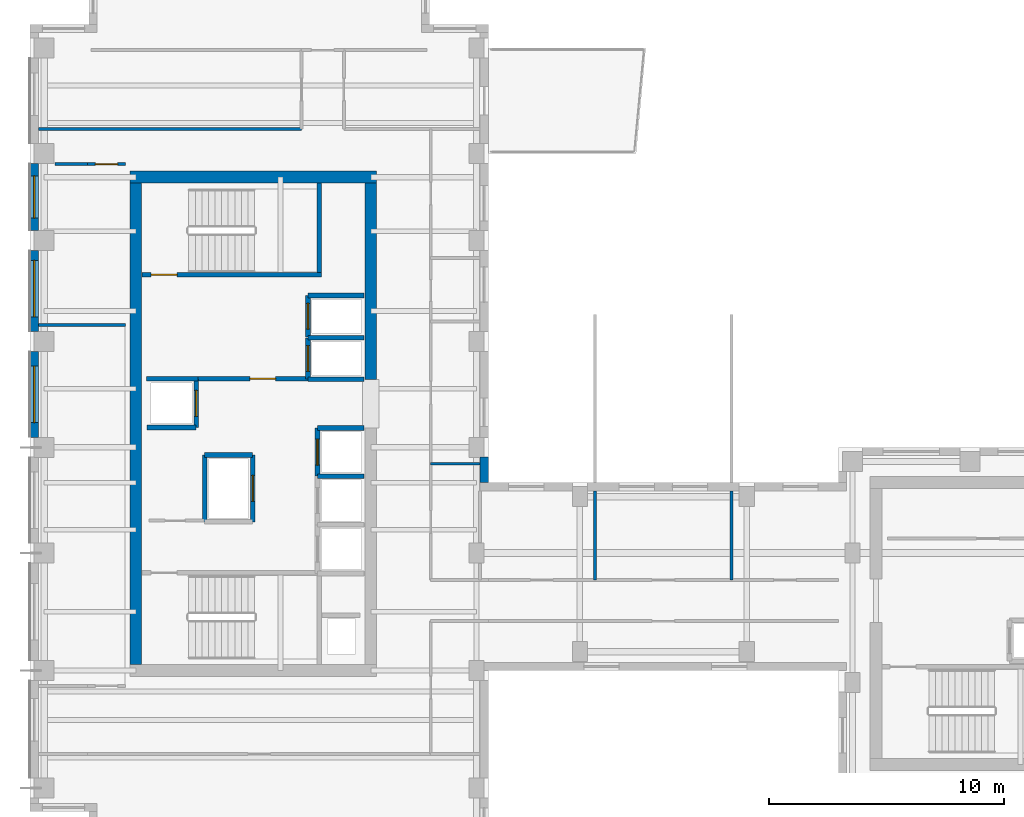
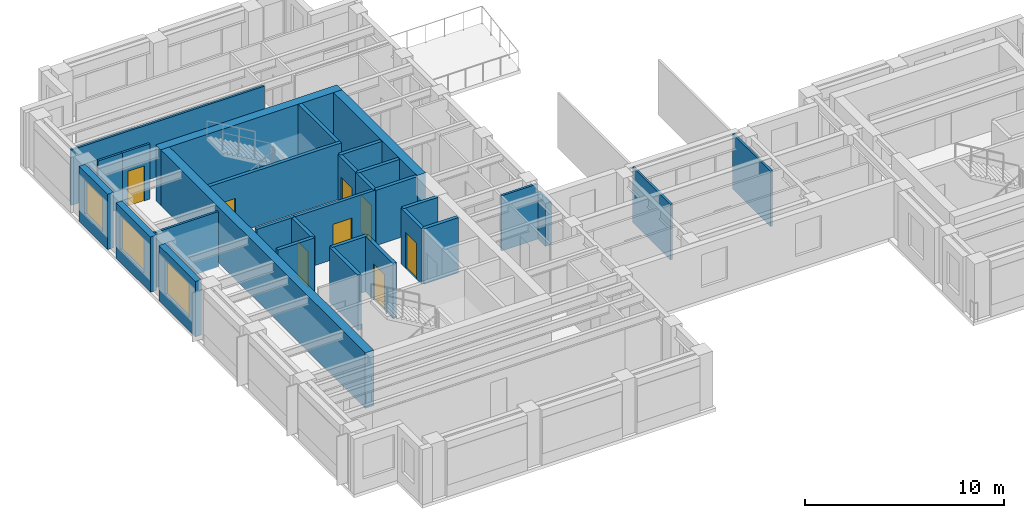
# One storey, part 4 of 10: 31 walls, 8 doors, 3 windows, 11 openings.
"""IFC4 building model written with IfcOpenShell, lengths in metres."""

import ifcopenshell
import ifcopenshell.guid

model = None  # the IFC model being written
_history = None  # IfcOwnerHistory: only IFC2X3 demands one
_inside = {}  # id of a spatial element -> (the spatial element, [elements in it])
_under = {}  # id of a project, library or spatial element -> (it, [spatial elements below it])
_declared = {}  # id of a project -> (the project, [libraries it declares])
_typed = {}  # id of a type object -> (the type object, [elements of that type])
_made_of = {}  # id of a material, layer set ... -> (it, [elements and type objects made of it])


def new_model(schema):
    """Start an empty IFC model of exactly this schema.

    Asked for "IFC4X3", IfcOpenShell would pick the latest addendum, in which some entities
    have other attributes; the version numbers below select the first issue.
    IFC2X3 requires an IfcOwnerHistory on every rooted entity: one is made here for all.
    """
    global model, _history
    if schema == "IFC4X3":
        model = ifcopenshell.file(schema_version=(4, 3, 0, 0))
    else:
        model = ifcopenshell.file(schema=schema)
    _inside.clear()
    _under.clear()
    _declared.clear()
    _typed.clear()
    _made_of.clear()
    _history = None
    if model.schema == "IFC2X3":
        org = make("IfcOrganization", Name="unknown")
        user = make(
            "IfcPersonAndOrganization",
            ThePerson=make("IfcPerson", FamilyName="unknown"),
            TheOrganization=org,
        )
        app = make(
            "IfcApplication",
            ApplicationDeveloper=org,
            Version="unknown",
            ApplicationFullName="unknown",
            ApplicationIdentifier="unknown",
        )
        _history = make(
            "IfcOwnerHistory",
            OwningUser=user,
            OwningApplication=app,
            ChangeAction="ADDED",
            CreationDate=0,
        )
    return model


def make(cls, **values):
    """One entity of the class cls with the attributes given. An attribute that is None is left unset."""
    return model.create_entity(
        cls, **{name: value for name, value in values.items() if value is not None}
    )


def rooted(cls, **values):
    """An entity with a GlobalId (a new one), such as an element, a storey or a relation."""
    return make(cls, GlobalId=ifcopenshell.guid.new(), OwnerHistory=_history, **values)


def si_unit(unit_type, name, prefix=None):
    """IfcSIUnit, for example si_unit("LENGTHUNIT", "METRE", prefix="MILLI")."""
    return make("IfcSIUnit", UnitType=unit_type, Prefix=prefix, Name=name)


def assignment(units):
    """IfcUnitAssignment: the units of a project."""
    return None if units is None else make("IfcUnitAssignment", Units=units)


def point(xyz):
    """IfcCartesianPoint."""
    return None if xyz is None else make("IfcCartesianPoint", Coordinates=xyz)


def direction(xyz):
    """IfcDirection."""
    return None if xyz is None else make("IfcDirection", DirectionRatios=xyz)


def frame(location, z_axis=None, x_axis=None):
    """IfcAxis2Placement3D, a coordinate frame: its origin and axes. An axis left out is left unset."""
    return make(
        "IfcAxis2Placement3D",
        Location=point(location),
        Axis=direction(z_axis),
        RefDirection=direction(x_axis),
    )


def frame_2d(location, x_axis=None):
    """IfcAxis2Placement2D, a coordinate frame in the plane: its origin and x axis."""
    return make(
        "IfcAxis2Placement2D", Location=point(location), RefDirection=direction(x_axis)
    )


def origin():
    """The frame at (0, 0, 0) with its axes left unset."""
    return frame((0.0, 0.0, 0.0))


def place(relative_to, where):
    """IfcLocalPlacement: puts the frame where relative to a parent placement (None: the world)."""
    return make(
        "IfcLocalPlacement", PlacementRelTo=relative_to, RelativePlacement=where
    )


def context(
    kind, dimensions, precision=None, world=None, true_north=None, identifier=None
):
    """IfcGeometricRepresentationContext, for example the 3D "Model" context."""
    return make(
        "IfcGeometricRepresentationContext",
        ContextIdentifier=identifier,
        ContextType=kind,
        CoordinateSpaceDimension=dimensions,
        Precision=precision,
        WorldCoordinateSystem=world,
        TrueNorth=true_north,
    )


def subcontext(parent, identifier, kind, view, scale=None):
    """IfcGeometricRepresentationSubContext, for example "Body" below "Model"."""
    return make(
        "IfcGeometricRepresentationSubContext",
        ContextIdentifier=identifier,
        ContextType=kind,
        ParentContext=parent,
        TargetScale=scale,
        TargetView=view,
    )


def project(units=None, contexts=None):
    """IfcProject with its units and contexts."""
    return rooted(
        "IfcProject",
        Name="project",
        RepresentationContexts=contexts,
        UnitsInContext=assignment(units),
    )


def spatial(cls, under=None, at=None, **own):
    """A site, building, storey or space (cls), placed at a placement, below another one or the project."""
    s = rooted(cls, ObjectPlacement=at, **own)
    if under is not None:
        _under.setdefault(under.id(), (under, []))[1].append(s)
    return s


def profile(cls, at=None, kind="AREA", **sizes):
    """A parametric profile (cls). Its sizes go by their IFC names, for example OverallWidth=200.0."""
    return make(cls, ProfileType=kind, Position=at, **sizes)


def rectangle(**sizes):
    """IfcRectangleProfileDef."""
    return profile("IfcRectangleProfileDef", **sizes)


def extrude(swept, where, along, depth):
    """IfcExtrudedAreaSolid: the profile swept, set in the frame where, extruded along a direction by depth."""
    return make(
        "IfcExtrudedAreaSolid",
        SweptArea=swept,
        Position=where,
        ExtrudedDirection=direction(along),
        Depth=depth,
    )


def shape(context_of_items, identifier, shape_type, items):
    """IfcShapeRepresentation: the items that make up one representation, for example the "Body"."""
    return make(
        "IfcShapeRepresentation",
        ContextOfItems=context_of_items,
        RepresentationIdentifier=identifier,
        RepresentationType=shape_type,
        Items=items,
    )


def source(mapping_origin, context_of_items, identifier, shape_type, items):
    """IfcRepresentationMap: a shape defined once, which mapped items show again and again."""
    return make(
        "IfcRepresentationMap",
        MappingOrigin=mapping_origin,
        MappedRepresentation=shape(context_of_items, identifier, shape_type, items),
    )


def transform(
    local_origin,
    x_axis=None,
    y_axis=None,
    z_axis=None,
    scale=None,
    scale2=None,
    scale3=None,
    uniform=True,
):
    """IfcCartesianTransformationOperator3D, or its non-uniform kind. x_axis, y_axis, z_axis: its Axis1, 2, 3."""
    if uniform:
        return make(
            "IfcCartesianTransformationOperator3D",
            Axis1=direction(x_axis),
            Axis2=direction(y_axis),
            LocalOrigin=point(local_origin),
            Scale=scale,
            Axis3=direction(z_axis),
        )
    return make(
        "IfcCartesianTransformationOperator3DnonUniform",
        Axis1=direction(x_axis),
        Axis2=direction(y_axis),
        LocalOrigin=point(local_origin),
        Scale=scale,
        Axis3=direction(z_axis),
        Scale2=scale2,
        Scale3=scale3,
    )


def mapped(mapping_source, mapping_target):
    """IfcMappedItem: shows the shape of a source again, moved by a transform."""
    return make(
        "IfcMappedItem", MappingSource=mapping_source, MappingTarget=mapping_target
    )


def material(Name=None, Category=None):
    """IfcMaterial."""
    return make("IfcMaterial", Name=Name, Category=Category)


def layer(
    of_material, thickness, ventilated=None, Name=None, Category=None, Priority=None
):
    """IfcMaterialLayer: one layer of a wall or slab, of a material (None: an air gap)."""
    return make(
        "IfcMaterialLayer",
        Material=of_material,
        LayerThickness=thickness,
        IsVentilated=ventilated,
        Name=Name,
        Category=Category,
        Priority=Priority,
    )


def layer_set(layers, Name=None):
    """IfcMaterialLayerSet."""
    return make("IfcMaterialLayerSet", MaterialLayers=layers, LayerSetName=Name)


def made_of(thing, what):
    """Note that an element or type object is made of a material, layer set ...; save() writes the relation."""
    if what is not None:
        _made_of.setdefault(what.id(), (what, []))[1].append(thing)
    return thing


def type_object(cls, material=None, **own):
    """A type object (cls), such as IfcWallType, which elements share."""
    return made_of(rooted(cls, **own), material)


def element(
    cls,
    number,
    at=None,
    inside=None,
    cuts=None,
    type_object=None,
    material=None,
    context=None,
    identifier="Body",
    shape_type=None,
    held_by="IfcProductDefinitionShape",
    body=None,
    shapes=None,
    **own,
):
    """One element of the class cls, such as IfcWall. Its Tag is "e" and its number.

    at: its placement. inside: the storey or other place that contains it. cuts: it is an
    opening in that element (IfcRelVoidsElement). A single representation is given by context,
    identifier, shape_type and body (its items); several are given by shapes. held_by: the class
    of the entity that holds the representations. save() writes the other relations.
    """
    e = rooted(cls, Tag="e%d" % number, ObjectPlacement=at, **own)
    if body is not None:
        shapes = [shape(context, identifier, shape_type, body)]
    if shapes is not None:
        e.Representation = make(held_by, Representations=shapes)
    if inside is not None:
        _inside.setdefault(inside.id(), (inside, []))[1].append(e)
    if cuts is not None:
        rooted(
            "IfcRelVoidsElement", RelatingBuildingElement=cuts, RelatedOpeningElement=e
        )
    if type_object is not None:
        _typed.setdefault(type_object.id(), (type_object, []))[1].append(e)
    return made_of(e, material)


def fill(opening, filler):
    """IfcRelFillsElement: the door or window that sits in an opening."""
    return rooted(
        "IfcRelFillsElement",
        RelatingOpeningElement=opening,
        RelatedBuildingElement=filler,
    )


def aggregate(whole, parts):
    """IfcRelAggregates: a whole, such as a stair, and the parts it consists of."""
    return rooted("IfcRelAggregates", RelatingObject=whole, RelatedObjects=parts)


def save(model, path):
    """Write the relations noted so far, then the file.

    IfcRelAggregates (storeys below a building ...), IfcRelContainedInSpatialStructure (elements
    in a storey), IfcRelDefinesByType, IfcRelAssociatesMaterial and IfcRelDeclares: one each for
    every whole, place, type object, material and project.
    """
    for whole, parts in _under.values():
        aggregate(whole, parts)
    for where, things in _inside.values():
        rooted(
            "IfcRelContainedInSpatialStructure",
            RelatedElements=things,
            RelatingStructure=where,
        )
    for kind, things in _typed.values():
        rooted("IfcRelDefinesByType", RelatedObjects=things, RelatingType=kind)
    for what, things in _made_of.values():
        rooted("IfcRelAssociatesMaterial", RelatedObjects=things, RelatingMaterial=what)
    for by, libraries in _declared.values():
        rooted("IfcRelDeclares", RelatingContext=by, RelatedDefinitions=libraries)
    model.write(path)


model = new_model("IFC4")

# Units and contexts
model_context = context("Model", 3, precision=1e-05, world=origin(), true_north=direction((0.0, 1.0)))
body_context = subcontext(model_context, "Body", "Model", "MODEL_VIEW")
ifc_project = project(units=[si_unit("LENGTHUNIT", "METRE"), si_unit("AREAUNIT", "SQUARE_METRE"), si_unit("VOLUMEUNIT", "CUBIC_METRE"), si_unit("PLANEANGLEUNIT", "RADIAN"), si_unit("MASSUNIT", "GRAM", prefix="KILO")], contexts=[model_context])

# Site, building, storey
site_placement = place(None, origin())
site = spatial("IfcSite", under=ifc_project, at=site_placement, CompositionType="ELEMENT")
building_placement = place(site_placement, origin())
building = spatial("IfcBuilding", under=site, at=building_placement, Name="Kharzan Plaza Tower", CompositionType="ELEMENT")
storey_placement = place(building_placement, frame((0.0, 0.0, 223.199951171875)))
storey = spatial("IfcBuildingStorey", under=building, at=storey_placement, Name="L60", CompositionType="ELEMENT", Elevation=223.199951171875)

# Wall, opening, window
ifc_material_1 = material(Name="Concrete C40/50", Category="concrete")
ifc_layer_1 = layer(ifc_material_1, 0.35009765625)
ifc_layer_set_1 = layer_set([ifc_layer_1], Name="Concrete C40/50")
wall_type_1 = type_object("IfcWallType", Name="WL-EXT-MAS-Z4", PredefinedType="SOLIDWALL", material=ifc_layer_set_1)
wall_1_placement = place(storey_placement, frame((0.175048828125, 30.076904296875, 0.0), z_axis=(0.0, 0.0, 1.0), x_axis=(0.0, -1.0, 0.0)))
wall_1 = element("IfcWall", 1, at=wall_1_placement, inside=storey, type_object=wall_type_1, Name="L60 Masonry-Frame Exterior Wall 17", PredefinedType="SOLIDWALL", context=body_context, shape_type="SweptSolid", body=[
    extrude(rectangle(XDim=2.85400390625, YDim=0.35009765625, at=frame_2d((1.427001953125, 0.0))), origin(), (0.0, 0.0, 1.0), 3.385009765625),
])
opening_1_placement = place(wall_1_placement, frame((0.527099609375, 0.0, 0.780029296875)))
opening_1 = element("IfcOpeningElement", 2, at=opening_1_placement, cuts=wall_1, Name="Opening W1", PredefinedType="OPENING", context=body_context, shape_type="SweptSolid", body=[
    extrude(rectangle(XDim=1.800048828125, YDim=2.10009765625, at=frame_2d((0.89990234375, 1.050048828125))), frame((0.0, 0.18505859375, 0.0), z_axis=(0.0, -1.0, 0.0), x_axis=(1.0, 0.0, 0.0)), (0.0, 0.0, 1.0), 0.3701171875),
])
ifc_material_2 = material(Name="Low-E Double Glazing", Category="glass")
window_type_1 = type_object("IfcWindowType", Name="WN-REC-1800x2100", PartitioningType="SINGLE_PANEL", PredefinedType="WINDOW", material=ifc_material_2)
shared_shape_1 = source(origin(), body_context, "Body", "SweptSolid", [
    extrude(rectangle(XDim=1.800048828125, YDim=2.10009765625, at=frame_2d((0.89990234375, 1.050048828125))), frame((0.0, 0.030029296875, 0.0), z_axis=(0.0, -1.0, 0.0), x_axis=(1.0, 0.0, 0.0)), (0.0, 0.0, 1.0), 0.06005859375),
])
window_1_placement = place(opening_1_placement, origin())
window_1 = element("IfcWindow", 3, at=window_1_placement, inside=storey, type_object=window_type_1, Name="L60 Recessed Solar-Control Window 17-1", OverallHeight=2.10009765625, OverallWidth=1.800048828125, PartitioningType="SINGLE_PANEL", PredefinedType="WINDOW", context=body_context, shape_type="MappedRepresentation", body=[
    mapped(shared_shape_1, transform((0.0, 0.0, 0.0), x_axis=(1.0, 0.0, 0.0), y_axis=(0.0, 1.0, 0.0), z_axis=(0.0, 0.0, 1.0))),
])
fill(opening_1, window_1)

wall_2_placement = place(storey_placement, frame((0.175048828125, 26.376953125, 0.0), z_axis=(0.0, 0.0, 1.0), x_axis=(0.0, -1.0, 0.0)))
wall_2 = element("IfcWall", 4, at=wall_2_placement, inside=storey, type_object=wall_type_1, Name="L60 Masonry-Frame Exterior Wall 18", PredefinedType="SOLIDWALL", context=body_context, shape_type="SweptSolid", body=[
    extrude(rectangle(XDim=3.453857421875, YDim=0.35009765625, at=frame_2d((1.72705078125, 0.0))), origin(), (0.0, 0.0, 1.0), 3.385009765625),
])
opening_2_placement = place(wall_2_placement, frame((0.423583984375, 0.0, 0.780029296875)))
opening_2 = element("IfcOpeningElement", 5, at=opening_2_placement, cuts=wall_2, Name="Opening W2", PredefinedType="OPENING", context=body_context, shape_type="SweptSolid", body=[
    extrude(rectangle(XDim=2.39990234375, YDim=2.10009765625, at=frame_2d((1.199951171875, 1.050048828125))), frame((0.0, 0.18505859375, 0.0), z_axis=(0.0, -1.0, 0.0), x_axis=(1.0, 0.0, 0.0)), (0.0, 0.0, 1.0), 0.3701171875),
])
window_type_2 = type_object("IfcWindowType", Name="WN-REC-2400x2100", PartitioningType="SINGLE_PANEL", PredefinedType="WINDOW", material=ifc_material_2)
shared_shape_2 = source(origin(), body_context, "Body", "SweptSolid", [
    extrude(rectangle(XDim=2.39990234375, YDim=2.10009765625, at=frame_2d((1.199951171875, 1.050048828125))), frame((0.0, 0.030029296875, 0.0), z_axis=(0.0, -1.0, 0.0), x_axis=(1.0, 0.0, 0.0)), (0.0, 0.0, 1.0), 0.06005859375),
])
window_2_placement = place(opening_2_placement, origin())
window_2 = element("IfcWindow", 6, at=window_2_placement, inside=storey, type_object=window_type_2, Name="L60 Wide Recessed Solar-Control Window 18-1", OverallHeight=2.10009765625, OverallWidth=2.39990234375, PartitioningType="SINGLE_PANEL", PredefinedType="WINDOW", context=body_context, shape_type="MappedRepresentation", body=[
    mapped(shared_shape_2, transform((0.0, 0.0, 0.0), x_axis=(1.0, 0.0, 0.0), y_axis=(0.0, 1.0, 0.0), z_axis=(0.0, 0.0, 1.0))),
])
fill(opening_2, window_2)

wall_3_placement = place(storey_placement, frame((0.175048828125, 22.076904296875, 0.0), z_axis=(0.0, 0.0, 1.0), x_axis=(0.0, -1.0, 0.0)))
wall_3 = element("IfcWall", 7, at=wall_3_placement, inside=storey, type_object=wall_type_1, Name="L60 Masonry-Frame Exterior Wall 19", PredefinedType="SOLIDWALL", context=body_context, shape_type="SweptSolid", body=[
    extrude(rectangle(XDim=3.65380859375, YDim=0.35009765625, at=frame_2d((1.826904296875, 0.0))), origin(), (0.0, 0.0, 1.0), 3.385009765625),
])
opening_3_placement = place(wall_3_placement, frame((0.626953125, 0.0, 0.780029296875)))
opening_3 = element("IfcOpeningElement", 8, at=opening_3_placement, cuts=wall_3, Name="Opening W2", PredefinedType="OPENING", context=body_context, shape_type="SweptSolid", body=[
    extrude(rectangle(XDim=2.39990234375, YDim=2.10009765625, at=frame_2d((1.199951171875, 1.050048828125))), frame((0.0, 0.18505859375, 0.0), z_axis=(0.0, -1.0, 0.0), x_axis=(1.0, 0.0, 0.0)), (0.0, 0.0, 1.0), 0.3701171875),
])
window_3_placement = place(opening_3_placement, origin())
window_3 = element("IfcWindow", 9, at=window_3_placement, inside=storey, type_object=window_type_2, Name="L60 Wide Recessed Solar-Control Window 19-1", OverallHeight=2.10009765625, OverallWidth=2.39990234375, PartitioningType="SINGLE_PANEL", PredefinedType="WINDOW", context=body_context, shape_type="MappedRepresentation", body=[
    mapped(shared_shape_2, transform((0.0, 0.0, 0.0), x_axis=(1.0, 0.0, 0.0), y_axis=(0.0, 1.0, 0.0), z_axis=(0.0, 0.0, 1.0))),
])
fill(opening_3, window_3)

# Wall, opening, door
ifc_layer_2 = layer(ifc_material_1, 0.179931640625)
ifc_layer_set_2 = layer_set([ifc_layer_2], Name="Concrete C40/50")
wall_type_2 = type_object("IfcWallType", Name="WL-INT-FIRE-180", PredefinedType="PARTITIONING", material=ifc_layer_set_2)
wall_4_placement = place(storey_placement, frame((7.14990234375, 20.919921875, 0.0), z_axis=(0.0, 0.0, 1.0), x_axis=(1.0, 0.0, 0.0)))
wall_4 = element("IfcWall", 10, at=wall_4_placement, inside=storey, type_object=wall_type_2, Name="L60 Interior Partition CA-FF-S", PredefinedType="PARTITIONING", context=body_context, shape_type="SweptSolid", body=[
    extrude(rectangle(XDim=4.68017578125, YDim=0.179931640625, at=frame_2d((2.340087890625, 0.0))), origin(), (0.0, 0.0, 1.0), 3.385009765625),
])
opening_4_placement = place(wall_4_placement, frame((2.199951171875, 0.0, 0.0)))
opening_4 = element("IfcOpeningElement", 11, at=opening_4_placement, cuts=wall_4, Name="Opening FD1", PredefinedType="OPENING", context=body_context, shape_type="SweptSolid", body=[
    extrude(rectangle(XDim=1.10009765625, YDim=2.14990234375, at=frame_2d((0.550048828125, 1.074951171875))), frame((0.0, 0.099853515625, 0.0), z_axis=(0.0, -1.0, 0.0), x_axis=(1.0, 0.0, 0.0)), (0.0, 0.0, 1.0), 0.199951171875),
])
ifc_material_3 = material(Name="Fire-Rated Acoustic Vision-Panel Steel", Category="steel")
door_type_1 = type_object("IfcDoorType", Name="DR-FIRE-LOBBY", OperationType="NOTDEFINED", PredefinedType="DOOR", material=ifc_material_3)
shared_shape_3 = source(origin(), body_context, "Body", "SweptSolid", [
    extrude(rectangle(XDim=1.10009765625, YDim=2.14990234375, at=frame_2d((0.550048828125, 1.074951171875))), frame((0.0, 0.02490234375, 0.0), z_axis=(0.0, -1.0, 0.0), x_axis=(1.0, 0.0, 0.0)), (0.0, 0.0, 1.0), 0.050048828125),
])
door_1_placement = place(opening_4_placement, origin())
door_1 = element("IfcDoor", 12, at=door_1_placement, inside=storey, type_object=door_type_1, Name="L60 Firefighting Lobby Door", OperationType="SINGLE_SWING_RIGHT", OverallHeight=2.14990234375, OverallWidth=1.10009765625, PredefinedType="DOOR", context=body_context, shape_type="MappedRepresentation", body=[
    mapped(shared_shape_3, transform((0.0, 0.0, 0.0), x_axis=(1.0, 0.0, 0.0), y_axis=(0.0, 1.0, 0.0), z_axis=(0.0, 0.0, 1.0))),
])
fill(opening_4, door_1)

ifc_material_4 = material(Name="Fire-Rated Gypsum Board Partition", Category="gypsum")
ifc_layer_3 = layer(ifc_material_4, 0.125)
ifc_layer_set_3 = layer_set([ifc_layer_3], Name="Fire-Rated Gypsum Board Partition")
wall_type_3 = type_object("IfcWallType", Name="WL-INT-PART-125", PredefinedType="PARTITIONING", material=ifc_layer_set_3)
wall_5_placement = place(storey_placement, frame((2.449951171875, 30.050048828125, 0.0), z_axis=(0.0, 0.0, 1.0), x_axis=(1.0, 0.0, 0.0)))
wall_5 = element("IfcWall", 13, at=wall_5_placement, inside=storey, type_object=wall_type_3, Name="L60 Interior Partition SH-RWND", PredefinedType="PARTITIONING", context=body_context, shape_type="SweptSolid", body=[
    extrude(rectangle(XDim=1.60009765625, YDim=0.125, at=frame_2d((0.800048828125, 0.0))), origin(), (0.0, 0.0, 1.0), 3.385009765625),
])
opening_5_placement = place(wall_5_placement, frame((0.324951171875, 0.0, 0.0)))
opening_5 = element("IfcOpeningElement", 14, at=opening_5_placement, cuts=wall_5, Name="Opening OD1", PredefinedType="OPENING", context=body_context, shape_type="SweptSolid", body=[
    extrude(rectangle(XDim=0.949951171875, YDim=2.14990234375, at=frame_2d((0.47509765625, 1.074951171875))), frame((0.0, 0.072509765625, 0.0), z_axis=(0.0, -1.0, 0.0), x_axis=(1.0, 0.0, 0.0)), (0.0, 0.0, 1.0), 0.14501953125),
])
ifc_material_5 = material(Name="Acoustic Solid-Core Stained Oak", Category="timber")
door_type_2 = type_object("IfcDoorType", Name="DR-OFF-SINGLE", OperationType="NOTDEFINED", PredefinedType="DOOR", material=ifc_material_5)
shared_shape_4 = source(origin(), body_context, "Body", "SweptSolid", [
    extrude(rectangle(XDim=0.949951171875, YDim=2.14990234375, at=frame_2d((0.47509765625, 1.074951171875))), frame((0.0, 0.02490234375, 0.0), z_axis=(0.0, -1.0, 0.0), x_axis=(1.0, 0.0, 0.0)), (0.0, 0.0, 1.0), 0.050048828125),
])
door_2_placement = place(opening_5_placement, origin())
door_2 = element("IfcDoor", 15, at=door_2_placement, inside=storey, type_object=door_type_2, Name="L60 West Office 2 Door", OperationType="SINGLE_SWING_LEFT", OverallHeight=2.14990234375, OverallWidth=0.949951171875, PredefinedType="DOOR", context=body_context, shape_type="MappedRepresentation", body=[
    mapped(shared_shape_4, transform((0.0, 0.0, 0.0), x_axis=(1.0, 0.0, 0.0), y_axis=(0.0, 1.0, 0.0), z_axis=(0.0, 0.0, 1.0))),
])
fill(opening_5, door_2)

ifc_layer_4 = layer(ifc_material_1, 0.199951171875)
ifc_layer_set_4 = layer_set([ifc_layer_4], Name="Concrete C40/50")
wall_type_4 = type_object("IfcWallType", Name="WL-INT-SHAFT-200", PredefinedType="PARTITIONING", material=ifc_layer_set_4)
wall_6_placement = place(storey_placement, frame((11.830078125, 20.89990234375, 0.0), z_axis=(0.0, 0.0, 1.0), x_axis=(0.0, 1.0, 0.0)))
wall_6 = element("IfcWall", 16, at=wall_6_placement, inside=storey, type_object=wall_type_4, Name="L60 Interior Partition SHF-FFL-1-W", PredefinedType="PARTITIONING", context=body_context, shape_type="SweptSolid", body=[
    extrude(rectangle(XDim=1.760009765625, YDim=0.199951171875, at=frame_2d((0.8798828125, 0.0))), origin(), (0.0, 0.0, 1.0), 3.385009765625),
])
opening_6_placement = place(wall_6_placement, frame((0.330078125, 0.0, 0.0)))
opening_6 = element("IfcOpeningElement", 17, at=opening_6_placement, cuts=wall_6, Name="Opening LD", PredefinedType="OPENING", context=body_context, shape_type="SweptSolid", body=[
    extrude(rectangle(XDim=1.10009765625, YDim=2.199951171875, at=frame_2d((0.550048828125, 1.10009765625))), frame((0.0, 0.10986328125, 0.0), z_axis=(0.0, -1.0, 0.0), x_axis=(1.0, 0.0, 0.0)), (0.0, 0.0, 1.0), 0.219970703125),
])
ifc_material_6 = material(Name="Brushed Stainless Steel", Category="steel")
door_type_3 = type_object("IfcDoorType", Name="DR-LIFT-SLIDE", OperationType="SLIDING_TO_LEFT", PredefinedType="DOOR", material=ifc_material_6)
shared_shape_5 = source(origin(), body_context, "Body", "SweptSolid", [
    extrude(rectangle(XDim=1.10009765625, YDim=2.199951171875, at=frame_2d((0.550048828125, 1.10009765625))), frame((0.0, 0.02490234375, 0.0), z_axis=(0.0, -1.0, 0.0), x_axis=(1.0, 0.0, 0.0)), (0.0, 0.0, 1.0), 0.050048828125),
])
door_3_placement = place(opening_6_placement, origin())
door_3 = element("IfcDoor", 18, at=door_3_placement, inside=storey, type_object=door_type_3, Name="L60 Firefighting Lift FFL-1 Sliding Landing Door", OperationType="SLIDING_TO_LEFT", OverallHeight=2.199951171875, OverallWidth=1.10009765625, PredefinedType="DOOR", context=body_context, shape_type="MappedRepresentation", body=[
    mapped(shared_shape_5, transform((0.0, 0.0, 0.0), x_axis=(1.0, 0.0, 0.0), y_axis=(0.0, 1.0, 0.0), z_axis=(0.0, 0.0, 1.0))),
])
fill(opening_6, door_3)

wall_7_placement = place(storey_placement, frame((11.830078125, 22.699951171875, 0.0), z_axis=(0.0, 0.0, 1.0), x_axis=(0.0, 1.0, 0.0)))
wall_7 = element("IfcWall", 19, at=wall_7_placement, inside=storey, type_object=wall_type_4, Name="L60 Interior Partition SHF-FFL-2-W", PredefinedType="PARTITIONING", context=body_context, shape_type="SweptSolid", body=[
    extrude(rectangle(XDim=1.760009765625, YDim=0.199951171875, at=frame_2d((0.8798828125, 0.0))), origin(), (0.0, 0.0, 1.0), 3.385009765625),
])
opening_7_placement = place(wall_7_placement, frame((0.330078125, 0.0, 0.0)))
opening_7 = element("IfcOpeningElement", 20, at=opening_7_placement, cuts=wall_7, Name="Opening LD", PredefinedType="OPENING", context=body_context, shape_type="SweptSolid", body=[
    extrude(rectangle(XDim=1.10009765625, YDim=2.199951171875, at=frame_2d((0.550048828125, 1.10009765625))), frame((0.0, 0.10986328125, 0.0), z_axis=(0.0, -1.0, 0.0), x_axis=(1.0, 0.0, 0.0)), (0.0, 0.0, 1.0), 0.219970703125),
])
door_4_placement = place(opening_7_placement, origin())
door_4 = element("IfcDoor", 21, at=door_4_placement, inside=storey, type_object=door_type_3, Name="L60 Firefighting Lift FFL-2 Sliding Landing Door", OperationType="SLIDING_TO_LEFT", OverallHeight=2.199951171875, OverallWidth=1.10009765625, PredefinedType="DOOR", context=body_context, shape_type="MappedRepresentation", body=[
    mapped(shared_shape_5, transform((0.0, 0.0, 0.0), x_axis=(1.0, 0.0, 0.0), y_axis=(0.0, 1.0, 0.0), z_axis=(0.0, 0.0, 1.0))),
])
fill(opening_7, door_4)

wall_8_placement = place(storey_placement, frame((12.22998046875, 16.77001953125, 0.0), z_axis=(0.0, 0.0, 1.0), x_axis=(0.0, 1.0, 0.0)))
wall_8 = element("IfcWall", 22, at=wall_8_placement, inside=storey, type_object=wall_type_4, Name="L60 Interior Partition SHF-PL-H3-W", PredefinedType="PARTITIONING", context=body_context, shape_type="SweptSolid", body=[
    extrude(rectangle(XDim=2.050048828125, YDim=0.199951171875, at=frame_2d((1.02490234375, 0.0))), origin(), (0.0, 0.0, 1.0), 3.385009765625),
])
opening_8_placement = place(wall_8_placement, frame((0.47509765625, 0.0, 0.0)))
opening_8 = element("IfcOpeningElement", 23, at=opening_8_placement, cuts=wall_8, Name="Opening LD", PredefinedType="OPENING", context=body_context, shape_type="SweptSolid", body=[
    extrude(rectangle(XDim=1.10009765625, YDim=2.199951171875, at=frame_2d((0.550048828125, 1.10009765625))), frame((0.0, 0.10986328125, 0.0), z_axis=(0.0, -1.0, 0.0), x_axis=(1.0, 0.0, 0.0)), (0.0, 0.0, 1.0), 0.219970703125),
])
door_5_placement = place(opening_8_placement, origin())
door_5 = element("IfcDoor", 24, at=door_5_placement, inside=storey, type_object=door_type_3, Name="L60 High-Rise Passenger Lift PL-H3 Sliding Landing Door", OperationType="SLIDING_TO_LEFT", OverallHeight=2.199951171875, OverallWidth=1.10009765625, PredefinedType="DOOR", context=body_context, shape_type="MappedRepresentation", body=[
    mapped(shared_shape_5, transform((0.0, 0.0, 0.0), x_axis=(1.0, 0.0, 0.0), y_axis=(0.0, 1.0, 0.0), z_axis=(0.0, 0.0, 1.0))),
])
fill(opening_8, door_5)

wall_9_placement = place(storey_placement, frame((7.070068359375, 18.840087890625, 0.0), z_axis=(0.0, 0.0, 1.0), x_axis=(0.0, 1.0, 0.0)))
wall_9 = element("IfcWall", 25, at=wall_9_placement, inside=storey, type_object=wall_type_4, Name="L60 Interior Partition SHF-PL-H4-E", PredefinedType="PARTITIONING", context=body_context, shape_type="SweptSolid", body=[
    extrude(rectangle(XDim=2.059814453125, YDim=0.199951171875, at=frame_2d((1.02978515625, 0.0))), origin(), (0.0, 0.0, 1.0), 3.385009765625),
])
opening_9_placement = place(wall_9_placement, frame((0.47998046875, 0.0, 0.0)))
opening_9 = element("IfcOpeningElement", 26, at=opening_9_placement, cuts=wall_9, Name="Opening LD", PredefinedType="OPENING", context=body_context, shape_type="SweptSolid", body=[
    extrude(rectangle(XDim=1.10009765625, YDim=2.199951171875, at=frame_2d((0.550048828125, 1.10009765625))), frame((0.0, 0.10986328125, 0.0), z_axis=(0.0, -1.0, 0.0), x_axis=(1.0, 0.0, 0.0)), (0.0, 0.0, 1.0), 0.219970703125),
])
door_6_placement = place(opening_9_placement, origin())
door_6 = element("IfcDoor", 27, at=door_6_placement, inside=storey, type_object=door_type_3, Name="L60 High-Rise Passenger Lift PL-H4 Sliding Landing Door", OperationType="SLIDING_TO_LEFT", OverallHeight=2.199951171875, OverallWidth=1.10009765625, PredefinedType="DOOR", context=body_context, shape_type="MappedRepresentation", body=[
    mapped(shared_shape_5, transform((0.0, 0.0, 0.0), x_axis=(1.0, 0.0, 0.0), y_axis=(0.0, 1.0, 0.0), z_axis=(0.0, 0.0, 1.0))),
])
fill(opening_9, door_6)

wall_10_placement = place(storey_placement, frame((9.469970703125, 14.830078125, 0.0), z_axis=(0.0, 0.0, 1.0), x_axis=(0.0, 1.0, 0.0)))
wall_10 = element("IfcWall", 28, at=wall_10_placement, inside=storey, type_object=wall_type_4, Name="L60 Interior Partition SHF-SVL-1-E", PredefinedType="PARTITIONING", context=body_context, shape_type="SweptSolid", body=[
    extrude(rectangle(XDim=2.83984375, YDim=0.199951171875, at=frame_2d((1.419921875, 0.0))), origin(), (0.0, 0.0, 1.0), 3.385009765625),
])
opening_10_placement = place(wall_10_placement, frame((0.8701171875, 0.0, 0.0)))
opening_10 = element("IfcOpeningElement", 29, at=opening_10_placement, cuts=wall_10, Name="Opening LD", PredefinedType="OPENING", context=body_context, shape_type="SweptSolid", body=[
    extrude(rectangle(XDim=1.10009765625, YDim=2.199951171875, at=frame_2d((0.550048828125, 1.10009765625))), frame((0.0, 0.10986328125, 0.0), z_axis=(0.0, -1.0, 0.0), x_axis=(1.0, 0.0, 0.0)), (0.0, 0.0, 1.0), 0.219970703125),
])
door_7_placement = place(opening_10_placement, origin())
door_7 = element("IfcDoor", 30, at=door_7_placement, inside=storey, type_object=door_type_3, Name="L60 Service Lift SVL-1 Sliding Landing Door", OperationType="SLIDING_TO_LEFT", OverallHeight=2.199951171875, OverallWidth=1.10009765625, PredefinedType="DOOR", context=body_context, shape_type="MappedRepresentation", body=[
    mapped(shared_shape_5, transform((0.0, 0.0, 0.0), x_axis=(1.0, 0.0, 0.0), y_axis=(0.0, 1.0, 0.0), z_axis=(0.0, 0.0, 1.0))),
])
fill(opening_10, door_7)

ifc_material_7 = material(Name="Concrete C50/60", Category="concrete")
ifc_layer_5 = layer(ifc_material_7, 0.199951171875)
ifc_layer_set_5 = layer_set([ifc_layer_5], Name="Concrete C50/60")
wall_type_5 = type_object("IfcWallType", Name="WL-SHAFT-RC200", PredefinedType="SHEAR", material=ifc_layer_set_5)
wall_11_placement = place(storey_placement, frame((4.751953125, 25.344970703125, 0.0), z_axis=(0.0, 0.0, 1.0), x_axis=(1.0, 0.0, 0.0)))
wall_11 = element("IfcWall", 31, at=wall_11_placement, inside=storey, type_object=wall_type_5, Name="L60 Stair ST-2 South RC Shaft Wall", PredefinedType="SHEAR", context=body_context, shape_type="SweptSolid", body=[
    extrude(rectangle(XDim=7.653076171875, YDim=0.199951171875, at=frame_2d((3.82666015625, 0.0))), origin(), (0.0, 0.0, 1.0), 3.400146484375),
])
opening_11_placement = place(wall_11_placement, frame((0.39990234375, 0.0, 0.0)))
opening_11 = element("IfcOpeningElement", 32, at=opening_11_placement, cuts=wall_11, Name="Opening SD1", PredefinedType="OPENING", context=body_context, shape_type="SweptSolid", body=[
    extrude(rectangle(XDim=1.10009765625, YDim=2.14990234375, at=frame_2d((0.550048828125, 1.074951171875))), frame((0.0, 0.10986328125, 0.0), z_axis=(0.0, -1.0, 0.0), x_axis=(1.0, 0.0, 0.0)), (0.0, 0.0, 1.0), 0.219970703125),
])
ifc_material_8 = material(Name="Fire-Rated Hollow Galvanized Steel", Category="steel")
door_type_4 = type_object("IfcDoorType", Name="DR-STAIR-FD120", OperationType="NOTDEFINED", PredefinedType="DOOR", material=ifc_material_8)
shared_shape_6 = source(origin(), body_context, "Body", "SweptSolid", [
    extrude(rectangle(XDim=1.10009765625, YDim=2.14990234375, at=frame_2d((0.550048828125, 1.074951171875))), frame((0.0, 0.02490234375, 0.0), z_axis=(0.0, -1.0, 0.0), x_axis=(1.0, 0.0, 0.0)), (0.0, 0.0, 1.0), 0.050048828125),
])
door_8_placement = place(opening_11_placement, origin())
door_8 = element("IfcDoor", 33, at=door_8_placement, inside=storey, type_object=door_type_4, Name="L60 Stair ST-2 Fire Exit Door", OperationType="SINGLE_SWING_LEFT", OverallHeight=2.14990234375, OverallWidth=1.10009765625, PredefinedType="DOOR", context=body_context, shape_type="MappedRepresentation", body=[
    mapped(shared_shape_6, transform((0.0, 0.0, 0.0), x_axis=(1.0, 0.0, 0.0), y_axis=(0.0, 1.0, 0.0), z_axis=(0.0, 0.0, 1.0))),
])
fill(opening_11, door_8)

# Walls
shared_shape_7 = source(origin(), body_context, "Body", "SweptSolid", [
    extrude(rectangle(XDim=2.199951171875, YDim=0.179931640625, at=frame_2d((1.10009765625, 0.0))), origin(), (0.0, 0.0, 1.0), 3.385009765625),
])
wall_12_placement = place(storey_placement, frame((4.949951171875, 20.919921875, 0.0), z_axis=(0.0, 0.0, 1.0), x_axis=(1.0, 0.0, 0.0)))
element("IfcWall", 34, at=wall_12_placement, inside=storey, type_object=wall_type_2, Name="L60 Interior Partition CA-FF-SW", PredefinedType="PARTITIONING", context=body_context, shape_type="MappedRepresentation", body=[
    mapped(shared_shape_7, transform((0.0, 0.0, 0.0), x_axis=(1.0, 0.0, 0.0), y_axis=(0.0, 1.0, 0.0), z_axis=(0.0, 0.0, 1.0))),
])
shared_shape_8 = source(origin(), body_context, "Body", "SweptSolid", [
    extrude(rectangle(XDim=2.097900390625, YDim=0.125, at=frame_2d((1.048828125, 0.0))), origin(), (0.0, 0.0, 1.0), 3.385009765625),
])
wall_13_placement = place(storey_placement, frame((17.050048828125, 17.300048828125, 0.0), z_axis=(0.0, 0.0, 1.0), x_axis=(1.0, 0.0, 0.0)))
element("IfcWall", 35, at=wall_13_placement, inside=storey, type_object=wall_type_3, Name="L60 Interior Partition SH-AEH-173", PredefinedType="PARTITIONING", context=body_context, shape_type="MappedRepresentation", body=[
    mapped(shared_shape_8, transform((0.0, 0.0, 0.0), x_axis=(1.0, 0.0, 0.0), y_axis=(0.0, 1.0, 0.0), z_axis=(0.0, 0.0, 1.0))),
])
shared_shape_9 = source(origin(), body_context, "Body", "SweptSolid", [
    extrude(rectangle(XDim=2.090087890625, YDim=0.199951171875, at=frame_2d((1.044921875, 0.0))), origin(), (0.0, 0.0, 1.0), 3.385009765625),
])
wall_14_placement = place(storey_placement, frame((4.97998046875, 18.840087890625, 0.0), z_axis=(0.0, 0.0, 1.0), x_axis=(1.0, 0.0, 0.0)))
element("IfcWall", 36, at=wall_14_placement, inside=storey, type_object=wall_type_4, Name="L60 Interior Partition SHF-PL-H4-S", PredefinedType="PARTITIONING", context=body_context, shape_type="MappedRepresentation", body=[
    mapped(shared_shape_9, transform((0.0, 0.0, 0.0), x_axis=(1.0, 0.0, 0.0), y_axis=(0.0, 1.0, 0.0), z_axis=(0.0, 0.0, 1.0))),
])
shared_shape_10 = source(origin(), body_context, "Body", "SweptSolid", [
    extrude(rectangle(XDim=2.0400390625, YDim=0.199951171875, at=frame_2d((1.02001953125, 0.0))), origin(), (0.0, 0.0, 1.0), 3.385009765625),
])
wall_15_placement = place(storey_placement, frame((7.429931640625, 17.669921875, 0.0), z_axis=(0.0, 0.0, 1.0), x_axis=(1.0, 0.0, 0.0)))
element("IfcWall", 37, at=wall_15_placement, inside=storey, type_object=wall_type_4, Name="L60 Interior Partition SHF-SVL-1-N", PredefinedType="PARTITIONING", context=body_context, shape_type="MappedRepresentation", body=[
    mapped(shared_shape_10, transform((0.0, 0.0, 0.0), x_axis=(1.0, 0.0, 0.0), y_axis=(0.0, 1.0, 0.0), z_axis=(0.0, 0.0, 1.0))),
])
shared_shape_11 = source(origin(), body_context, "Body", "SweptSolid", [
    extrude(rectangle(XDim=2.83984375, YDim=0.199951171875, at=frame_2d((1.419921875, 0.0))), origin(), (0.0, 0.0, 1.0), 3.385009765625),
])
wall_16_placement = place(storey_placement, frame((7.429931640625, 14.830078125, 0.0), z_axis=(0.0, 0.0, 1.0), x_axis=(0.0, 1.0, 0.0)))
element("IfcWall", 38, at=wall_16_placement, inside=storey, type_object=wall_type_4, Name="L60 Interior Partition SHF-SVL-1-W", PredefinedType="PARTITIONING", context=body_context, shape_type="MappedRepresentation", body=[
    mapped(shared_shape_11, transform((0.0, 0.0, 0.0), x_axis=(1.0, 0.0, 0.0), y_axis=(0.0, 1.0, 0.0), z_axis=(0.0, 0.0, 1.0))),
])
shared_shape_12 = source(origin(), body_context, "Body", "SweptSolid", [
    extrude(rectangle(XDim=11.197998046875, YDim=0.125, at=frame_2d((5.59912109375, 0.0))), origin(), (0.0, 0.0, 1.0), 3.385009765625),
])
wall_17_placement = place(storey_placement, frame((0.35205078125, 31.550048828125, 0.0), z_axis=(0.0, 0.0, 1.0), x_axis=(1.0, 0.0, 0.0)))
element("IfcWall", 39, at=wall_17_placement, inside=storey, type_object=wall_type_3, Name="L60 Interior Partition SH-NNW", PredefinedType="PARTITIONING", context=body_context, shape_type="MappedRepresentation", body=[
    mapped(shared_shape_12, transform((0.0, 0.0, 0.0), x_axis=(1.0, 0.0, 0.0), y_axis=(0.0, 1.0, 0.0), z_axis=(0.0, 0.0, 1.0))),
])
shared_shape_13 = source(origin(), body_context, "Body", "SweptSolid", [
    extrude(rectangle(XDim=3.697998046875, YDim=0.125, at=frame_2d((1.84912109375, 0.0))), origin(), (0.0, 0.0, 1.0), 3.385009765625),
])
wall_18_placement = place(storey_placement, frame((0.35205078125, 23.199951171875, 0.0), z_axis=(0.0, 0.0, 1.0), x_axis=(1.0, 0.0, 0.0)))
element("IfcWall", 40, at=wall_18_placement, inside=storey, type_object=wall_type_3, Name="L60 Interior Partition SH-WMID", PredefinedType="PARTITIONING", context=body_context, shape_type="MappedRepresentation", body=[
    mapped(shared_shape_13, transform((0.0, 0.0, 0.0), x_axis=(1.0, 0.0, 0.0), y_axis=(0.0, 1.0, 0.0), z_axis=(0.0, 0.0, 1.0))),
])
ifc_layer_6 = layer(ifc_material_7, 0.5)
ifc_layer_set_6 = layer_set([ifc_layer_6], Name="Concrete C50/60")
wall_type_6 = type_object("IfcWallType", Name="WL-CORE-500", PredefinedType="SHEAR", material=ifc_layer_set_6)
shared_shape_14 = source(origin(), body_context, "Body", "SweptSolid", [
    extrude(rectangle(XDim=8.3701171875, YDim=0.5, at=frame_2d((4.18505859375, 0.0))), origin(), (0.0, 0.0, 1.0), 3.400146484375),
])
wall_19_placement = place(storey_placement, frame((14.5, 20.8798828125, 0.0), z_axis=(0.0, 0.0, 1.0), x_axis=(0.0, 1.0, 0.0)))
element("IfcWall", 41, at=wall_19_placement, inside=storey, type_object=wall_type_6, Name="L60 CORE-A east shear pier 2", PredefinedType="SHEAR", context=body_context, shape_type="MappedRepresentation", body=[
    mapped(shared_shape_14, transform((0.0, 0.0, 0.0), x_axis=(1.0, 0.0, 0.0), y_axis=(0.0, 1.0, 0.0), z_axis=(0.0, 0.0, 1.0))),
])
shared_shape_15 = source(origin(), body_context, "Body", "SweptSolid", [
    extrude(rectangle(XDim=10.5, YDim=0.5, at=frame_2d((5.25, 0.0))), origin(), (0.0, 0.0, 1.0), 3.400146484375),
])
wall_20_placement = place(storey_placement, frame((4.25, 29.5, 0.0), z_axis=(0.0, 0.0, 1.0), x_axis=(1.0, 0.0, 0.0)))
element("IfcWall", 42, at=wall_20_placement, inside=storey, type_object=wall_type_6, Name="L60 CORE-A north RC shear wall", PredefinedType="SHEAR", context=body_context, shape_type="MappedRepresentation", body=[
    mapped(shared_shape_15, transform((0.0, 0.0, 0.0), x_axis=(1.0, 0.0, 0.0), y_axis=(0.0, 1.0, 0.0), z_axis=(0.0, 0.0, 1.0))),
])
shared_shape_16 = source(origin(), body_context, "Body", "SweptSolid", [
    extrude(rectangle(XDim=20.5, YDim=0.5, at=frame_2d((10.25, 0.0))), origin(), (0.0, 0.0, 1.0), 3.400146484375),
])
wall_21_placement = place(storey_placement, frame((4.5, 8.75, 0.0), z_axis=(0.0, 0.0, 1.0), x_axis=(0.0, 1.0, 0.0)))
element("IfcWall", 43, at=wall_21_placement, inside=storey, type_object=wall_type_6, Name="L60 CORE-A west RC shear wall", PredefinedType="SHEAR", context=body_context, shape_type="MappedRepresentation", body=[
    mapped(shared_shape_16, transform((0.0, 0.0, 0.0), x_axis=(1.0, 0.0, 0.0), y_axis=(0.0, 1.0, 0.0), z_axis=(0.0, 0.0, 1.0))),
])
shared_shape_17 = source(origin(), body_context, "Body", "SweptSolid", [
    extrude(rectangle(XDim=2.389892578125, YDim=0.199951171875, at=frame_2d((1.19482421875, 0.0))), origin(), (0.0, 0.0, 1.0), 3.385009765625),
])
for number, where, z_axis, x_axis, name in (
    (44, (11.830078125, 22.659912109375, 0.0), (0.0, 0.0, 1.0), (1.0, 0.0, 0.0), "L60 Interior Partition SHF-FFL-1-N"),
    (45, (11.830078125, 20.89990234375, 0.0), (0.0, 0.0, 1.0), (1.0, 0.0, 0.0), "L60 Interior Partition SHF-FFL-1-S"),
    (46, (11.830078125, 24.4599609375, 0.0), (0.0, 0.0, 1.0), (1.0, 0.0, 0.0), "L60 Interior Partition SHF-FFL-2-N"),
):
    element("IfcWall", number, at=place(storey_placement, frame(where, z_axis=z_axis, x_axis=x_axis)), inside=storey, type_object=wall_type_4, Name=name, PredefinedType="PARTITIONING", context=body_context, shape_type="MappedRepresentation", body=[
        mapped(shared_shape_17, transform((0.0, 0.0, 0.0), x_axis=(1.0, 0.0, 0.0), y_axis=(0.0, 1.0, 0.0), z_axis=(0.0, 0.0, 1.0))),
    ])
shared_shape_18 = source(origin(), body_context, "Body", "SweptSolid", [
    extrude(rectangle(XDim=1.989990234375, YDim=0.199951171875, at=frame_2d((0.9951171875, 0.0))), origin(), (0.0, 0.0, 1.0), 3.385009765625),
])
for number, where, z_axis, x_axis, name in (
    (47, (12.22998046875, 16.77001953125, 0.0), (0.0, 0.0, 1.0), (1.0, 0.0, 0.0), "L60 Interior Partition SHF-PL-H2-N"),
    (48, (12.22998046875, 18.820068359375, 0.0), (0.0, 0.0, 1.0), (1.0, 0.0, 0.0), "L60 Interior Partition SHF-PL-H3-N"),
):
    element("IfcWall", number, at=place(storey_placement, frame(where, z_axis=z_axis, x_axis=x_axis)), inside=storey, type_object=wall_type_4, Name=name, PredefinedType="PARTITIONING", context=body_context, shape_type="MappedRepresentation", body=[
        mapped(shared_shape_18, transform((0.0, 0.0, 0.0), x_axis=(1.0, 0.0, 0.0), y_axis=(0.0, 1.0, 0.0), z_axis=(0.0, 0.0, 1.0))),
    ])
shared_shape_19 = source(origin(), body_context, "Body", "SweptSolid", [
    extrude(rectangle(XDim=3.802978515625, YDim=0.199951171875, at=frame_2d((1.9013671875, 0.0))), origin(), (0.0, 0.0, 1.0), 3.400146484375),
])
wall_22_placement = place(storey_placement, frame((12.304931640625, 25.445068359375, 0.0), z_axis=(0.0, 0.0, 1.0), x_axis=(0.0, 1.0, 0.0)))
element("IfcWall", 49, at=wall_22_placement, inside=storey, type_object=wall_type_5, Name="L60 Stair ST-2 East RC Shaft Wall", PredefinedType="SHEAR", context=body_context, shape_type="MappedRepresentation", body=[
    mapped(shared_shape_19, transform((0.0, 0.0, 0.0), x_axis=(1.0, 0.0, 0.0), y_axis=(0.0, 1.0, 0.0), z_axis=(0.0, 0.0, 1.0))),
])
shared_shape_20 = source(origin(), body_context, "Body", "SweptSolid", [
    extrude(rectangle(XDim=1.39990234375, YDim=0.125, at=frame_2d((0.699951171875, 0.0))), origin(), (0.0, 0.0, 1.0), 3.385009765625),
])
wall_23_placement = place(storey_placement, frame((1.050048828125, 30.050048828125, 0.0), z_axis=(0.0, 0.0, 1.0), x_axis=(1.0, 0.0, 0.0)))
element("IfcWall", 50, at=wall_23_placement, inside=storey, type_object=wall_type_3, Name="L60 Interior Partition SH-RWN0", PredefinedType="PARTITIONING", context=body_context, shape_type="MappedRepresentation", body=[
    mapped(shared_shape_20, transform((0.0, 0.0, 0.0), x_axis=(1.0, 0.0, 0.0), y_axis=(0.0, 1.0, 0.0), z_axis=(0.0, 0.0, 1.0))),
])
shared_shape_21 = source(origin(), body_context, "Body", "SweptSolid", [
    extrude(rectangle(XDim=1.078857421875, YDim=0.35009765625, at=frame_2d((0.53955078125, 0.0))), origin(), (0.0, 0.0, 1.0), 2.619140625),
])
wall_24_placement = place(storey_placement, frame((19.324951171875, 16.498046875, 0.0), z_axis=(0.0, 0.0, 1.0), x_axis=(0.0, 1.0, 0.0)))
element("IfcWall", 51, at=wall_24_placement, inside=storey, type_object=wall_type_1, Name="L60 Masonry-Frame Exterior Wall 01", PredefinedType="SOLIDWALL", context=body_context, shape_type="MappedRepresentation", body=[
    mapped(shared_shape_21, transform((0.0, 0.0, 0.0), x_axis=(1.0, 0.0, 0.0), y_axis=(0.0, 1.0, 0.0), z_axis=(0.0, 0.0, 1.0))),
])
shared_shape_22 = source(origin(), body_context, "Body", "SweptSolid", [
    extrude(rectangle(XDim=3.7978515625, YDim=0.125, at=frame_2d((1.89892578125, 0.0))), origin(), (0.0, 0.0, 1.0), 3.385009765625),
])
for number, where, z_axis, x_axis, name in (
    (52, (24.050048828125, 12.35009765625, 0.0), (0.0, 0.0, 1.0), (0.0, 1.0, 0.0), "L60 Interior Partition SH-SPML-S1"),
    (53, (29.85009765625, 12.35009765625, 0.0), (0.0, 0.0, 1.0), (0.0, 1.0, 0.0), "L60 Interior Partition SH-SPMR-S1"),
):
    element("IfcWall", number, at=place(storey_placement, frame(where, z_axis=z_axis, x_axis=x_axis)), inside=storey, type_object=wall_type_3, Name=name, PredefinedType="PARTITIONING", context=body_context, shape_type="MappedRepresentation", body=[
        mapped(shared_shape_22, transform((0.0, 0.0, 0.0), x_axis=(1.0, 0.0, 0.0), y_axis=(0.0, 1.0, 0.0), z_axis=(0.0, 0.0, 1.0))),
    ])

save(model, "model.ifc")
